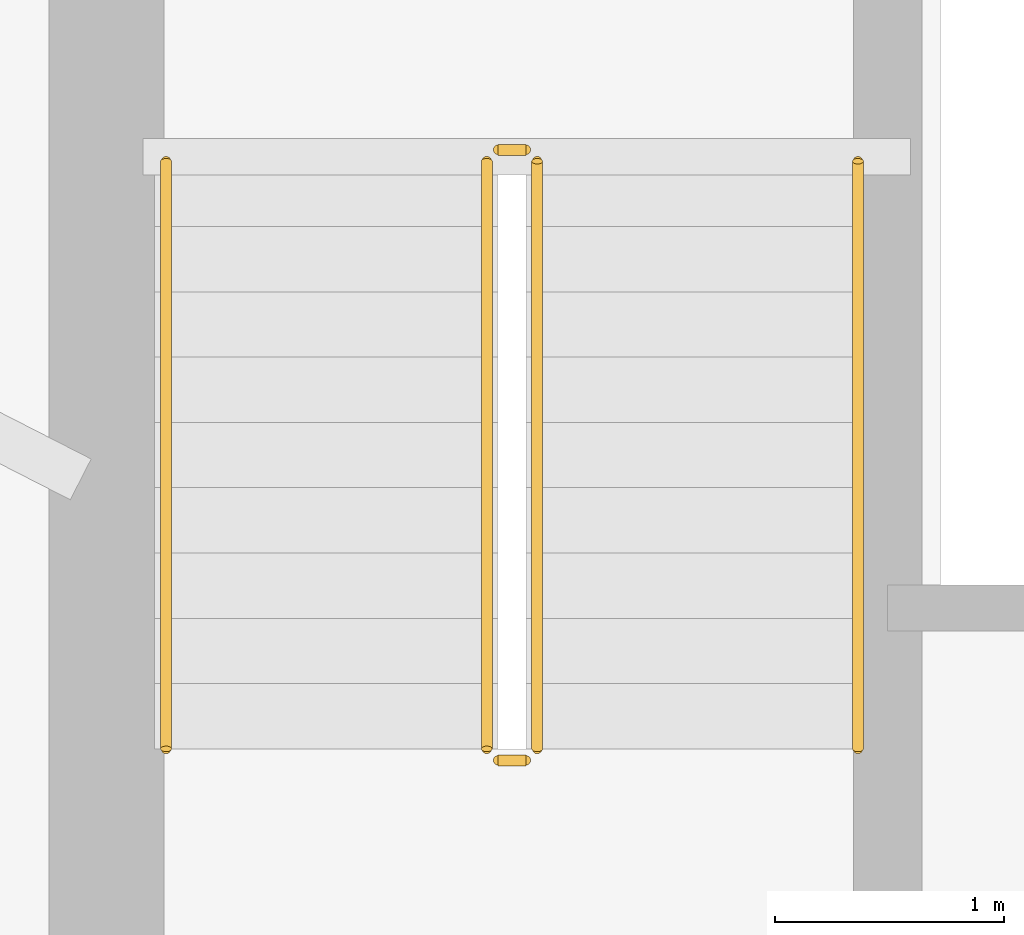
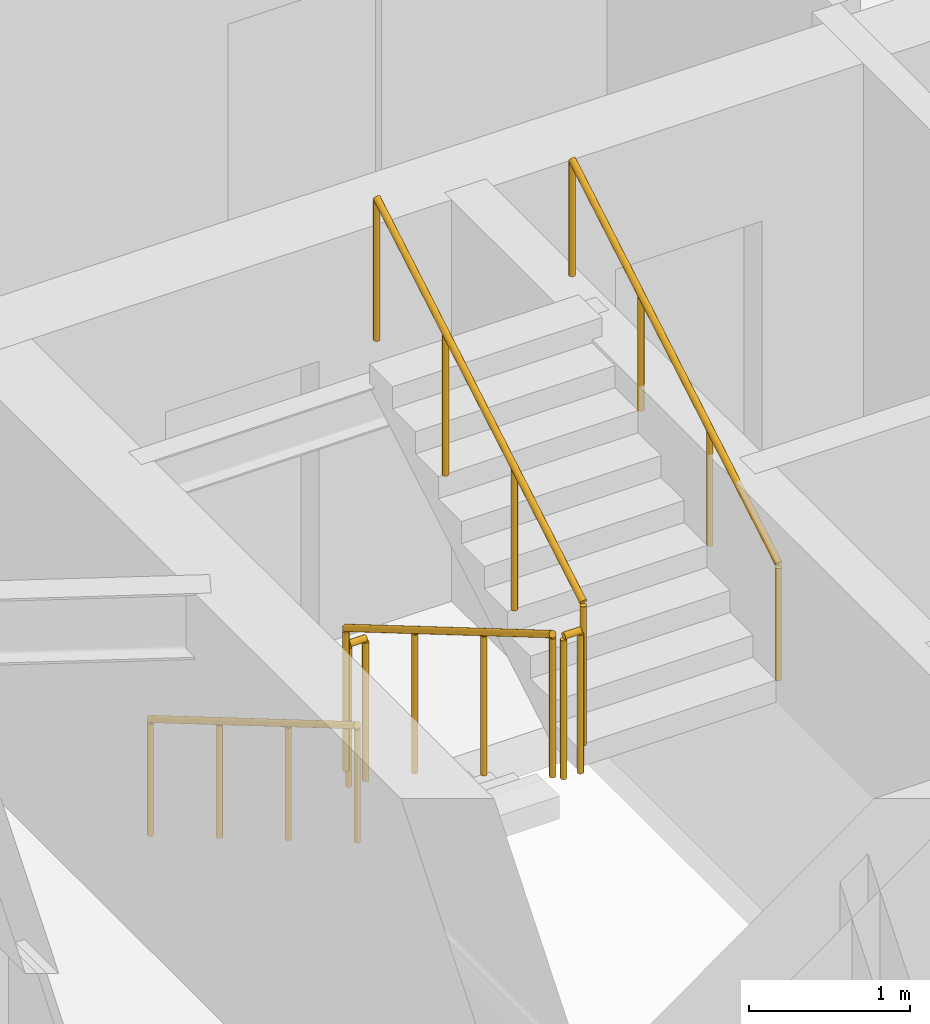
# One storey, part 17 of 18: 6 railings.
"""IFC4 building model written with IfcOpenShell, lengths in metres."""

from ifc_helpers import new_model, si_unit, direction, frame, origin, origin_2d, place, context, subcontext, project, spatial, circle, extrude, material, type_object, element, save


model = new_model("IFC4")

# Units and contexts
model_context = context("Model", 3, precision=1e-05, world=origin(), true_north=direction((0.0, 1.0)))
body_context = subcontext(model_context, "Body", "Model", "MODEL_VIEW")
ifc_project = project(units=[si_unit("LENGTHUNIT", "METRE"), si_unit("AREAUNIT", "SQUARE_METRE"), si_unit("VOLUMEUNIT", "CUBIC_METRE"), si_unit("PLANEANGLEUNIT", "RADIAN"), si_unit("MASSUNIT", "GRAM", prefix="KILO")], contexts=[model_context])

# Site, building, storey
site_placement = place(None, origin())
site = spatial("IfcSite", under=ifc_project, at=site_placement, CompositionType="ELEMENT")
building_placement = place(site_placement, origin())
building = spatial("IfcBuilding", under=site, at=building_placement, Name="Qobustan Lattice House", CompositionType="ELEMENT")
storey_placement = place(building_placement, frame((0.0, 0.0, 154.449951171875)))
storey = spatial("IfcBuildingStorey", under=building, at=storey_placement, Name="L43", CompositionType="ELEMENT", Elevation=154.449951171875)

# Railings
ifc_material_1 = material(Name="Brushed stainless steel handrail", Category="steel")
railing_type_1 = type_object("IfcRailingType", Name="RAL-HR-920", PredefinedType="HANDRAIL", material=ifc_material_1)
railing_1_placement = place(storey_placement, frame((-18.199951171875, 3.5, 0.16748046875)))
element("IfcRailing", 1, at=railing_1_placement, inside=storey, type_object=railing_type_1, Name="L43 ST-W1 stair handrail 1", PredefinedType="HANDRAIL", context=body_context, shape_type="SweptSolid", body=[
    extrude(circle(Radius=0.02392578125, at=origin_2d()), frame((0.0, 0.0, 0.8759765625), z_axis=(0.0, -0.862113467892, 0.50671527358), x_axis=(1.0, 0.0, 0.0)), (0.0, 0.0, 1.0), 2.97509765625),
    extrude(circle(Radius=0.02099609375, at=origin_2d()), origin(), (0.0, 0.0, 1.0), 0.851806640625),
    extrude(circle(Radius=0.02099609375, at=origin_2d()), frame((0.0, -0.85498046875, 0.50244140625)), (0.0, 0.0, 1.0), 0.851806640625),
    extrude(circle(Radius=0.02099609375, at=origin_2d()), frame((0.0, -1.7099609375, 1.005126953125)), (0.0, 0.0, 1.0), 0.851806640625),
    extrude(circle(Radius=0.02099609375, at=origin_2d()), frame((0.0, -2.56494140625, 1.507568359375)), (0.0, 0.0, 1.0), 0.851806640625),
])
railing_2_placement = place(storey_placement, frame((-15.179931640625, 0.93505859375, 1.842529296875)))
element("IfcRailing", 2, at=railing_2_placement, inside=storey, type_object=railing_type_1, Name="L43 ST-W1 stair handrail 2", PredefinedType="HANDRAIL", context=body_context, shape_type="SweptSolid", body=[
    extrude(circle(Radius=0.02392578125, at=origin_2d()), frame((0.0, 0.0, 0.8759765625), z_axis=(0.0, 0.862113467892, 0.50671527358), x_axis=(-1.0, 0.0, 0.0)), (0.0, 0.0, 1.0), 2.97509765625),
    extrude(circle(Radius=0.02099609375, at=origin_2d()), origin(), (0.0, 0.0, 1.0), 0.851806640625),
    extrude(circle(Radius=0.02099609375, at=origin_2d()), frame((0.0, 0.85498046875, 0.50244140625)), (0.0, 0.0, 1.0), 0.851806640625),
    extrude(circle(Radius=0.02099609375, at=origin_2d()), frame((0.0, 1.7099609375, 1.005126953125)), (0.0, 0.0, 1.0), 0.851806640625),
    extrude(circle(Radius=0.02099609375, at=origin_2d()), frame((0.0, 2.56494140625, 1.507568359375)), (0.0, 0.0, 1.0), 0.851806640625),
])
ifc_material_2 = material(Name="Painted galvanized steel guardrail", Category="steel")
railing_type_2 = type_object("IfcRailingType", Name="RAL-STG-1150", PredefinedType="GUARDRAIL", material=ifc_material_2)
railing_3_placement = place(storey_placement, frame((-16.800048828125, 3.5, 0.16748046875)))
element("IfcRailing", 3, at=railing_3_placement, inside=storey, type_object=railing_type_2, Name="L43 ST-W1 stair guard 1", PredefinedType="GUARDRAIL", context=body_context, shape_type="SweptSolid", body=[
    extrude(circle(Radius=0.02392578125, at=origin_2d()), frame((0.0, 0.0, 1.076171875), z_axis=(0.0, -0.862113467892, 0.50671527358), x_axis=(1.0, 0.0, 0.0)), (0.0, 0.0, 1.0), 2.97509765625),
    extrude(circle(Radius=0.02099609375, at=origin_2d()), origin(), (0.0, 0.0, 1.0), 1.052001953125),
    extrude(circle(Radius=0.02099609375, at=origin_2d()), frame((0.0, -0.85498046875, 0.50244140625)), (0.0, 0.0, 1.0), 1.052001953125),
    extrude(circle(Radius=0.02099609375, at=origin_2d()), frame((0.0, -1.7099609375, 1.005126953125)), (0.0, 0.0, 1.0), 1.052001953125),
    extrude(circle(Radius=0.02099609375, at=origin_2d()), frame((0.0, -2.56494140625, 1.507568359375)), (0.0, 0.0, 1.0), 1.052001953125),
])
railing_4_placement = place(storey_placement, frame((-16.75, 0.885009765625, 1.675048828125)))
element("IfcRailing", 4, at=railing_4_placement, inside=storey, type_object=railing_type_2, Name="L43 ST-W1 stair guard 2", PredefinedType="GUARDRAIL", context=body_context, shape_type="SweptSolid", body=[
    extrude(circle(Radius=0.02392578125, at=origin_2d()), frame((0.0, 0.0, 1.076171875), z_axis=(1.0, 0.0, 0.0), x_axis=(0.0, 1.0, 0.0)), (0.0, 0.0, 1.0), 0.1201171875),
    extrude(circle(Radius=0.02099609375, at=origin_2d()), origin(), (0.0, 0.0, 1.0), 1.052001953125),
    extrude(circle(Radius=0.02099609375, at=origin_2d()), frame((0.1201171875, 0.0, 0.0)), (0.0, 0.0, 1.0), 1.052001953125),
])
railing_5_placement = place(storey_placement, frame((-16.580078125, 0.93505859375, 1.842529296875)))
element("IfcRailing", 5, at=railing_5_placement, inside=storey, type_object=railing_type_2, Name="L43 ST-W1 stair guard 3", PredefinedType="GUARDRAIL", context=body_context, shape_type="SweptSolid", body=[
    extrude(circle(Radius=0.02392578125, at=origin_2d()), frame((0.0, 0.0, 1.076171875), z_axis=(0.0, 0.862113467892, 0.50671527358), x_axis=(-1.0, 0.0, 0.0)), (0.0, 0.0, 1.0), 2.97509765625),
    extrude(circle(Radius=0.02099609375, at=origin_2d()), origin(), (0.0, 0.0, 1.0), 1.052001953125),
    extrude(circle(Radius=0.02099609375, at=origin_2d()), frame((0.0, 0.85498046875, 0.50244140625)), (0.0, 0.0, 1.0), 1.052001953125),
    extrude(circle(Radius=0.02099609375, at=origin_2d()), frame((0.0, 1.7099609375, 1.005126953125)), (0.0, 0.0, 1.0), 1.052001953125),
    extrude(circle(Radius=0.02099609375, at=origin_2d()), frame((0.0, 2.56494140625, 1.507568359375)), (0.0, 0.0, 1.0), 1.052001953125),
])
railing_6_placement = place(storey_placement, frame((-16.75, 3.550048828125, 0.0)))
element("IfcRailing", 6, at=railing_6_placement, inside=storey, type_object=railing_type_2, Name="L43 ST-W1 stair guard 4", PredefinedType="GUARDRAIL", context=body_context, shape_type="SweptSolid", body=[
    extrude(circle(Radius=0.02392578125, at=origin_2d()), frame((0.0, 0.0, 1.076171875), z_axis=(1.0, 0.0, 0.0), x_axis=(0.0, 1.0, 0.0)), (0.0, 0.0, 1.0), 0.1201171875),
    extrude(circle(Radius=0.02099609375, at=origin_2d()), origin(), (0.0, 0.0, 1.0), 1.052001953125),
    extrude(circle(Radius=0.02099609375, at=origin_2d()), frame((0.1201171875, 0.0, 0.0)), (0.0, 0.0, 1.0), 1.052001953125),
])

save(model, "model.ifc")
